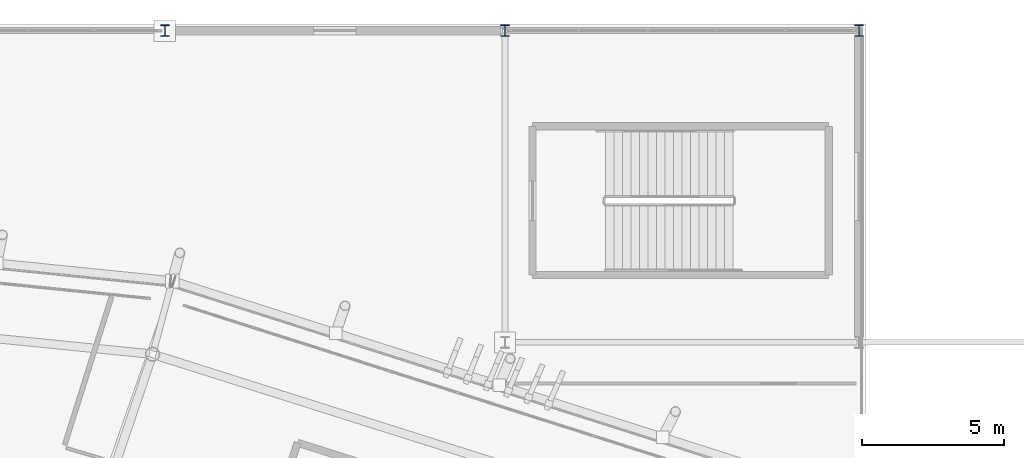
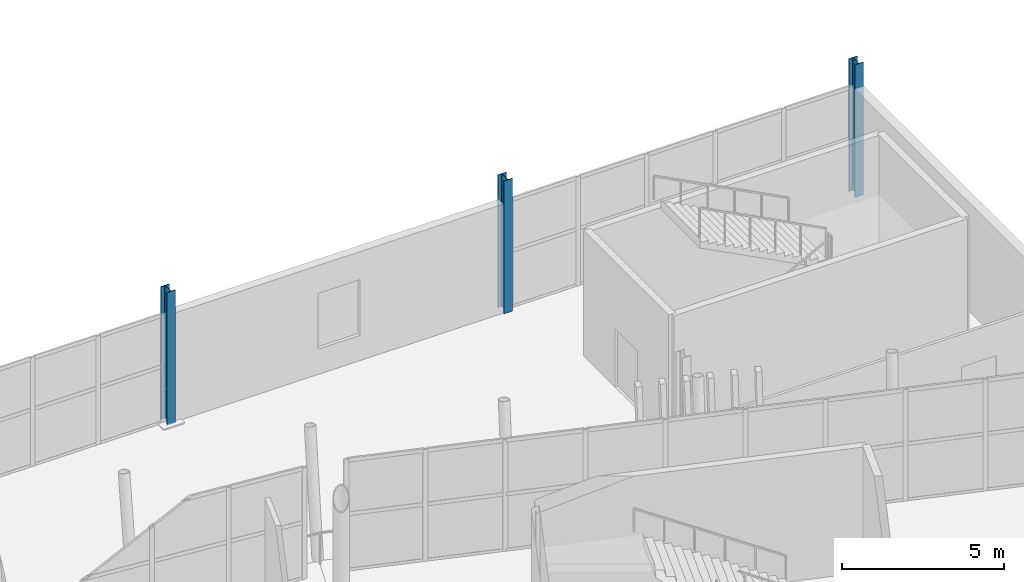
# One storey, part 22 of 179: 3 columns.
"""IFC4 building model written with IfcOpenShell, lengths in metres."""

from ifc_helpers import new_model, si_unit, direction, frame, origin, origin_2d, place, context, subcontext, project, spatial, i_section, extrude, material, material_profile, profile_set, type_object, element, save


model = new_model("IFC4")

# Units and contexts
model_context = context("Model", 3, precision=1e-05, world=origin(), true_north=direction((0.0, 1.0)))
body_context = subcontext(model_context, "Body", "Model", "MODEL_VIEW")
ifc_project = project(units=[si_unit("LENGTHUNIT", "METRE"), si_unit("AREAUNIT", "SQUARE_METRE"), si_unit("VOLUMEUNIT", "CUBIC_METRE"), si_unit("PLANEANGLEUNIT", "RADIAN"), si_unit("MASSUNIT", "GRAM", prefix="KILO")], contexts=[model_context])

# Site, building, storey
site_placement = place(None, origin())
site = spatial("IfcSite", under=ifc_project, at=site_placement, CompositionType="ELEMENT")
building_placement = place(site_placement, origin())
building = spatial("IfcBuilding", under=site, at=building_placement, Name="Zlatoyarsky Gate Stadium", CompositionType="ELEMENT")
storey_placement = place(building_placement, frame((0.0, 0.0, 10.60009765625)))
storey = spatial("IfcBuildingStorey", under=building, at=storey_placement, Name="L02", CompositionType="ELEMENT", Elevation=10.60009765625)

# Columns
ifc_material = material(Name="Steel S355", Category="steel")
ifc_material_profile = material_profile(ifc_material, i_section(OverallWidth=0.300048828125, OverallDepth=0.39990234375, WebThickness=0.013427734375, FlangeThickness=0.02392578125, FilletRadius=0.027099609375, at=origin_2d()), Name="HEB 400")
ifc_profile_set = profile_set([ifc_material_profile], Name="Steel S355")
column_type = type_object("IfcColumnType", Name="STEEL COLUMN HEB 400", PredefinedType="COLUMN", material=ifc_profile_set)
for number, where, z_axis, x_axis, name in (
    (1, (135.5, 160.0, 0.0), (0.0, 0.0, 1.0), (1.0, 0.0, 0.0), "Column ST-C400 WG-12-Q on L02"),
    (2, (147.5, 160.0, 0.0), (0.0, 0.0, 1.0), (1.0, 0.0, 0.0), "Column ST-C400 WG-13-Q on L02"),
    (3, (160.0, 160.0, 0.0), (0.0, 0.0, 1.0), (1.0, 0.0, 0.0), "Column ST-C400 WG-14-Q on L02"),
):
    element("IfcColumn", number, at=place(storey_placement, frame(where, z_axis=z_axis, x_axis=x_axis)), inside=storey, type_object=column_type, Name=name, PredefinedType="COLUMN", context=body_context, shape_type="SweptSolid", body=[
        extrude(i_section(OverallWidth=0.300048828125, OverallDepth=0.39990234375, WebThickness=0.013427734375, FlangeThickness=0.02392578125, FilletRadius=0.027099609375, at=origin_2d()), origin(), (0.0, 0.0, 1.0), 5.0),
    ])

save(model, "model.ifc")
